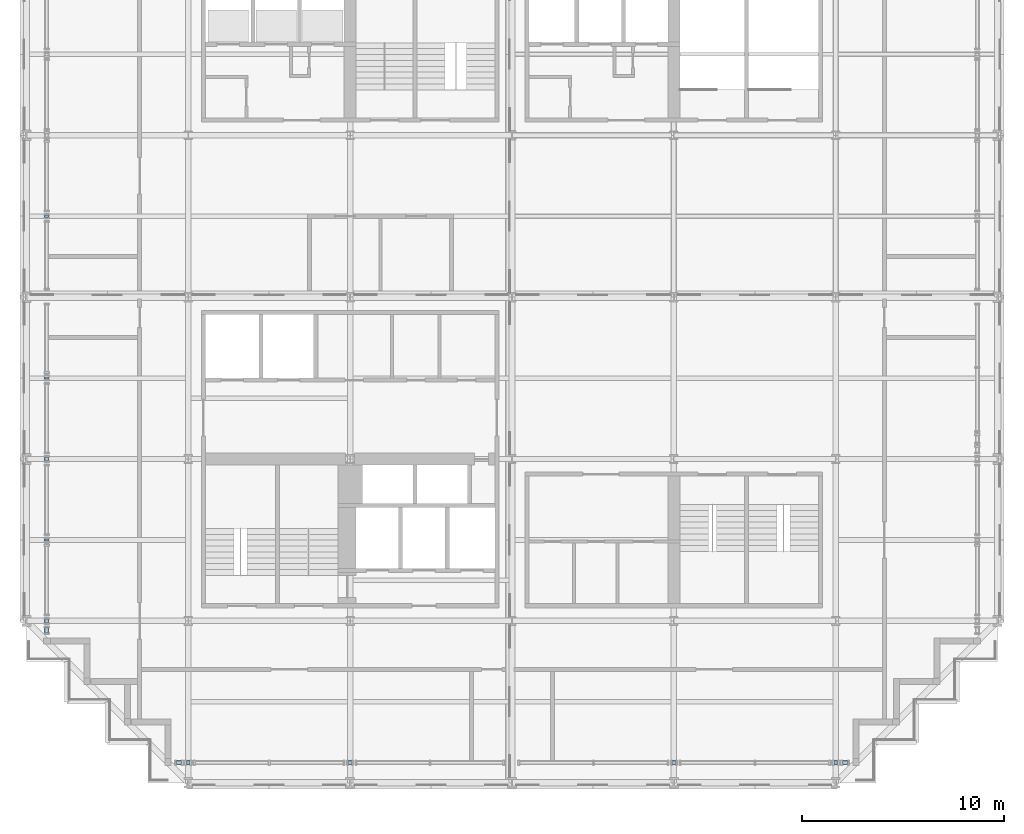
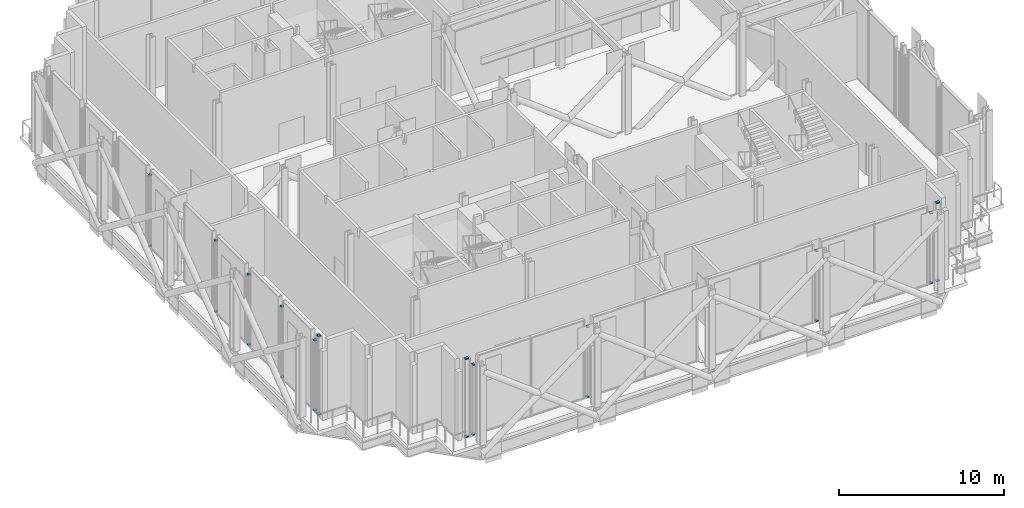
# One storey, part 8 of 25: 24 members, 12 elements without a shape of their own.
"""IFC4 building model written with IfcOpenShell, lengths in metres."""

from ifc_helpers import new_model, si_unit, direction, frame, origin, origin_2d, place, context, subcontext, project, spatial, rectangle, extrude, material, material_profile, profile_set, type_object, element, aggregate, save


model = new_model("IFC4")

# Units and contexts
model_context = context("Model", 3, precision=1e-05, world=origin(), true_north=direction((0.0, 1.0)))
body_context = subcontext(model_context, "Body", "Model", "MODEL_VIEW")
ifc_project = project(units=[si_unit("LENGTHUNIT", "METRE"), si_unit("AREAUNIT", "SQUARE_METRE"), si_unit("VOLUMEUNIT", "CUBIC_METRE"), si_unit("PLANEANGLEUNIT", "RADIAN"), si_unit("MASSUNIT", "GRAM", prefix="KILO")], contexts=[model_context])

# Site, building, storey
site_placement = place(None, origin())
site = spatial("IfcSite", under=ifc_project, at=site_placement, CompositionType="ELEMENT")
building_placement = place(site_placement, origin())
building = spatial("IfcBuilding", under=site, at=building_placement, Name="Immortelle Media Tower", CompositionType="ELEMENT")
storey_placement = place(building_placement, frame((0.0, 0.0, 114.0)))
storey = spatial("IfcBuildingStorey", under=building, at=storey_placement, Name="L22", CompositionType="ELEMENT", Elevation=114.0)

# Curtain wall, members
ifc_material_1 = material(Name="Aluminium curtain wall system", Category="aluminium")
curtain_wall_type = type_object("IfcCurtainWallType", Name="Plant louvre wall curtain wall", PredefinedType="NOTDEFINED", material=ifc_material_1)
curtain_wall_1_placement = place(storey_placement, origin())
curtain_wall_1 = element("IfcCurtainWall", 1, at=curtain_wall_1_placement, inside=storey, type_object=curtain_wall_type, Name="Plant louvre wall L22 S 7-2", PredefinedType="NOTDEFINED")
ifc_material_2 = material(Name="Aluminium 6063-T6", Category="aluminium")
ifc_material_profile = material_profile(ifc_material_2, rectangle(XDim=0.199951171875, YDim=0.080078125, at=origin_2d()), Name="AL 80x200")
ifc_profile_set = profile_set([ifc_material_profile], Name="Aluminium 6063-T6")
member_type = type_object("IfcMemberType", Name="Plant louvre wall transom 80 x 200", PredefinedType="USERDEFINED", material=ifc_profile_set)
member_1_placement = place(storey_placement, frame((7.40869140625, 1.0, 0.0400390625), z_axis=(1.0, 0.0, 0.0), x_axis=(0.0, 1.0, 0.0)))
member_1 = element("IfcMember", 2, at=member_1_placement, type_object=member_type, Name="CW6 transom 1.1", ObjectType="TRANSOM", PredefinedType="USERDEFINED", context=body_context, shape_type="SweptSolid", body=[
    extrude(rectangle(XDim=0.199951171875, YDim=0.080078125, at=origin_2d()), origin(), (0.0, 0.0, 1.0), 0.2568359375),
])
member_2_placement = place(storey_placement, frame((7.40869140625, 1.0, 5.8095703125), z_axis=(1.0, 0.0, 0.0), x_axis=(0.0, 1.0, 0.0)))
member_2 = element("IfcMember", 3, at=member_2_placement, type_object=member_type, Name="CW6 transom 1.2", ObjectType="TRANSOM", PredefinedType="USERDEFINED", context=body_context, shape_type="SweptSolid", body=[
    extrude(rectangle(XDim=0.199951171875, YDim=0.080078125, at=origin_2d()), origin(), (0.0, 0.0, 1.0), 0.2568359375),
])
aggregate(curtain_wall_1, [member_1, member_2])

curtain_wall_2_placement = place(storey_placement, origin())
curtain_wall_2 = element("IfcCurtainWall", 4, at=curtain_wall_2_placement, inside=storey, type_object=curtain_wall_type, Name="Plant louvre wall L22 S 7-3", PredefinedType="NOTDEFINED")
member_3_placement = place(storey_placement, frame((7.91552734375, 1.0, 0.0400390625), z_axis=(1.0, 0.0, 0.0), x_axis=(0.0, 1.0, 0.0)))
member_3 = element("IfcMember", 5, at=member_3_placement, type_object=member_type, Name="CW6 transom 1.1", ObjectType="TRANSOM", PredefinedType="USERDEFINED", context=body_context, shape_type="SweptSolid", body=[
    extrude(rectangle(XDim=0.199951171875, YDim=0.080078125, at=origin_2d()), origin(), (0.0, 0.0, 1.0), 0.1689453125),
])
member_4_placement = place(storey_placement, frame((7.91552734375, 1.0, 5.197509765625), z_axis=(1.0, 0.0, 0.0), x_axis=(0.0, 1.0, 0.0)))
member_4 = element("IfcMember", 6, at=member_4_placement, type_object=member_type, Name="CW6 transom 1.2", ObjectType="TRANSOM", PredefinedType="USERDEFINED", context=body_context, shape_type="SweptSolid", body=[
    extrude(rectangle(XDim=0.199951171875, YDim=0.080078125, at=origin_2d()), origin(), (0.0, 0.0, 1.0), 0.1689453125),
])
aggregate(curtain_wall_2, [member_3, member_4])

curtain_wall_3_placement = place(storey_placement, origin())
curtain_wall_3 = element("IfcCurtainWall", 7, at=curtain_wall_3_placement, inside=storey, type_object=curtain_wall_type, Name="Plant louvre wall L22 S 7-5", PredefinedType="NOTDEFINED")
member_5_placement = place(storey_placement, frame((15.91552734375, 1.0, 0.0400390625), z_axis=(1.0, 0.0, 0.0), x_axis=(0.0, 1.0, 0.0)))
member_5 = element("IfcMember", 8, at=member_5_placement, type_object=member_type, Name="CW6 transom 1.1", ObjectType="TRANSOM", PredefinedType="USERDEFINED", context=body_context, shape_type="SweptSolid", body=[
    extrude(rectangle(XDim=0.199951171875, YDim=0.080078125, at=origin_2d()), origin(), (0.0, 0.0, 1.0), 0.1689453125),
])
member_6_placement = place(storey_placement, frame((15.91552734375, 1.0, 5.197509765625), z_axis=(1.0, 0.0, 0.0), x_axis=(0.0, 1.0, 0.0)))
member_6 = element("IfcMember", 9, at=member_6_placement, type_object=member_type, Name="CW6 transom 1.2", ObjectType="TRANSOM", PredefinedType="USERDEFINED", context=body_context, shape_type="SweptSolid", body=[
    extrude(rectangle(XDim=0.199951171875, YDim=0.080078125, at=origin_2d()), origin(), (0.0, 0.0, 1.0), 0.1689453125),
])
aggregate(curtain_wall_3, [member_5, member_6])

curtain_wall_4_placement = place(storey_placement, origin())
curtain_wall_4 = element("IfcCurtainWall", 10, at=curtain_wall_4_placement, inside=storey, type_object=curtain_wall_type, Name="Plant louvre wall L22 S 7-8", PredefinedType="NOTDEFINED")
member_7_placement = place(storey_placement, frame((31.91552734375, 1.0, 0.0400390625), z_axis=(1.0, 0.0, 0.0), x_axis=(0.0, 1.0, 0.0)))
member_7 = element("IfcMember", 11, at=member_7_placement, type_object=member_type, Name="CW6 transom 1.1", ObjectType="TRANSOM", PredefinedType="USERDEFINED", context=body_context, shape_type="SweptSolid", body=[
    extrude(rectangle(XDim=0.199951171875, YDim=0.080078125, at=origin_2d()), origin(), (0.0, 0.0, 1.0), 0.1689453125),
])
member_8_placement = place(storey_placement, frame((31.91552734375, 1.0, 5.197509765625), z_axis=(1.0, 0.0, 0.0), x_axis=(0.0, 1.0, 0.0)))
member_8 = element("IfcMember", 12, at=member_8_placement, type_object=member_type, Name="CW6 transom 1.2", ObjectType="TRANSOM", PredefinedType="USERDEFINED", context=body_context, shape_type="SweptSolid", body=[
    extrude(rectangle(XDim=0.199951171875, YDim=0.080078125, at=origin_2d()), origin(), (0.0, 0.0, 1.0), 0.1689453125),
])
aggregate(curtain_wall_4, [member_7, member_8])

curtain_wall_5_placement = place(storey_placement, origin())
curtain_wall_5 = element("IfcCurtainWall", 13, at=curtain_wall_5_placement, inside=storey, type_object=curtain_wall_type, Name="Plant louvre wall L22 S 7-10", PredefinedType="NOTDEFINED")
member_9_placement = place(storey_placement, frame((39.91552734375, 1.0, 0.0400390625), z_axis=(1.0, 0.0, 0.0), x_axis=(0.0, 1.0, 0.0)))
member_9 = element("IfcMember", 14, at=member_9_placement, type_object=member_type, Name="CW6 transom 1.1", ObjectType="TRANSOM", PredefinedType="USERDEFINED", context=body_context, shape_type="SweptSolid", body=[
    extrude(rectangle(XDim=0.199951171875, YDim=0.080078125, at=origin_2d()), origin(), (0.0, 0.0, 1.0), 0.1689453125),
])
member_10_placement = place(storey_placement, frame((39.91552734375, 1.0, 5.197509765625), z_axis=(1.0, 0.0, 0.0), x_axis=(0.0, 1.0, 0.0)))
member_10 = element("IfcMember", 15, at=member_10_placement, type_object=member_type, Name="CW6 transom 1.2", ObjectType="TRANSOM", PredefinedType="USERDEFINED", context=body_context, shape_type="SweptSolid", body=[
    extrude(rectangle(XDim=0.199951171875, YDim=0.080078125, at=origin_2d()), origin(), (0.0, 0.0, 1.0), 0.1689453125),
])
aggregate(curtain_wall_5, [member_9, member_10])

curtain_wall_6_placement = place(storey_placement, origin())
curtain_wall_6 = element("IfcCurtainWall", 16, at=curtain_wall_6_placement, inside=storey, type_object=curtain_wall_type, Name="Plant louvre wall L22 S 7-11", PredefinedType="NOTDEFINED")
member_11_placement = place(storey_placement, frame((40.33447265625, 1.0, 0.0400390625), z_axis=(1.0, 0.0, 0.0), x_axis=(0.0, 1.0, 0.0)))
member_11 = element("IfcMember", 17, at=member_11_placement, type_object=member_type, Name="CW6 transom 1.1", ObjectType="TRANSOM", PredefinedType="USERDEFINED", context=body_context, shape_type="SweptSolid", body=[
    extrude(rectangle(XDim=0.199951171875, YDim=0.080078125, at=origin_2d()), origin(), (0.0, 0.0, 1.0), 0.2568359375),
])
member_12_placement = place(storey_placement, frame((40.33447265625, 1.0, 5.8095703125), z_axis=(1.0, 0.0, 0.0), x_axis=(0.0, 1.0, 0.0)))
member_12 = element("IfcMember", 18, at=member_12_placement, type_object=member_type, Name="CW6 transom 1.2", ObjectType="TRANSOM", PredefinedType="USERDEFINED", context=body_context, shape_type="SweptSolid", body=[
    extrude(rectangle(XDim=0.199951171875, YDim=0.080078125, at=origin_2d()), origin(), (0.0, 0.0, 1.0), 0.2568359375),
])
aggregate(curtain_wall_6, [member_11, member_12])

curtain_wall_7_placement = place(storey_placement, origin())
curtain_wall_7 = element("IfcCurtainWall", 19, at=curtain_wall_7_placement, inside=storey, type_object=curtain_wall_type, Name="Plant louvre wall L22 W 28-9", PredefinedType="NOTDEFINED")
member_13_placement = place(storey_placement, frame((1.0, 28.052490234375, 0.0400390625), z_axis=(0.0, -1.0, 0.0), x_axis=(1.0, 0.0, 0.0)))
member_13 = element("IfcMember", 20, at=member_13_placement, type_object=member_type, Name="CW6 transom 1.1", ObjectType="TRANSOM", PredefinedType="USERDEFINED", context=body_context, shape_type="SweptSolid", body=[
    extrude(rectangle(XDim=0.199951171875, YDim=0.080078125, at=origin_2d()), origin(), (0.0, 0.0, 1.0), 0.10498046875),
])
member_14_placement = place(storey_placement, frame((1.0, 28.052490234375, 5.283447265625), z_axis=(0.0, -1.0, 0.0), x_axis=(1.0, 0.0, 0.0)))
member_14 = element("IfcMember", 21, at=member_14_placement, type_object=member_type, Name="CW6 transom 1.2", ObjectType="TRANSOM", PredefinedType="USERDEFINED", context=body_context, shape_type="SweptSolid", body=[
    extrude(rectangle(XDim=0.199951171875, YDim=0.080078125, at=origin_2d()), origin(), (0.0, 0.0, 1.0), 0.10498046875),
])
aggregate(curtain_wall_7, [member_13, member_14])

curtain_wall_8_placement = place(storey_placement, origin())
curtain_wall_8 = element("IfcCurtainWall", 22, at=curtain_wall_8_placement, inside=storey, type_object=curtain_wall_type, Name="Plant louvre wall L22 W 28-12", PredefinedType="NOTDEFINED")
member_15_placement = place(storey_placement, frame((1.0, 20.052490234375, 0.0400390625), z_axis=(0.0, -1.0, 0.0), x_axis=(1.0, 0.0, 0.0)))
member_15 = element("IfcMember", 23, at=member_15_placement, type_object=member_type, Name="CW6 transom 1.1", ObjectType="TRANSOM", PredefinedType="USERDEFINED", context=body_context, shape_type="SweptSolid", body=[
    extrude(rectangle(XDim=0.199951171875, YDim=0.080078125, at=origin_2d()), origin(), (0.0, 0.0, 1.0), 0.10498046875),
])
member_16_placement = place(storey_placement, frame((1.0, 20.052490234375, 5.283447265625), z_axis=(0.0, -1.0, 0.0), x_axis=(1.0, 0.0, 0.0)))
member_16 = element("IfcMember", 24, at=member_16_placement, type_object=member_type, Name="CW6 transom 1.2", ObjectType="TRANSOM", PredefinedType="USERDEFINED", context=body_context, shape_type="SweptSolid", body=[
    extrude(rectangle(XDim=0.199951171875, YDim=0.080078125, at=origin_2d()), origin(), (0.0, 0.0, 1.0), 0.10498046875),
])
aggregate(curtain_wall_8, [member_15, member_16])

curtain_wall_9_placement = place(storey_placement, origin())
curtain_wall_9 = element("IfcCurtainWall", 25, at=curtain_wall_9_placement, inside=storey, type_object=curtain_wall_type, Name="Plant louvre wall L22 W 28-14", PredefinedType="NOTDEFINED")
member_17_placement = place(storey_placement, frame((1.0, 16.08447265625, 0.0400390625), z_axis=(0.0, -1.0, 0.0), x_axis=(1.0, 0.0, 0.0)))
member_17 = element("IfcMember", 26, at=member_17_placement, type_object=member_type, Name="CW6 transom 1.1", ObjectType="TRANSOM", PredefinedType="USERDEFINED", context=body_context, shape_type="SweptSolid", body=[
    extrude(rectangle(XDim=0.199951171875, YDim=0.080078125, at=origin_2d()), origin(), (0.0, 0.0, 1.0), 0.1689453125),
])
member_18_placement = place(storey_placement, frame((1.0, 16.08447265625, 5.197509765625), z_axis=(0.0, -1.0, 0.0), x_axis=(1.0, 0.0, 0.0)))
member_18 = element("IfcMember", 27, at=member_18_placement, type_object=member_type, Name="CW6 transom 1.2", ObjectType="TRANSOM", PredefinedType="USERDEFINED", context=body_context, shape_type="SweptSolid", body=[
    extrude(rectangle(XDim=0.199951171875, YDim=0.080078125, at=origin_2d()), origin(), (0.0, 0.0, 1.0), 0.1689453125),
])
aggregate(curtain_wall_9, [member_17, member_18])

curtain_wall_10_placement = place(storey_placement, origin())
curtain_wall_10 = element("IfcCurtainWall", 28, at=curtain_wall_10_placement, inside=storey, type_object=curtain_wall_type, Name="Plant louvre wall L22 W 28-16", PredefinedType="NOTDEFINED")
member_19_placement = place(storey_placement, frame((1.0, 12.052490234375, 0.0400390625), z_axis=(0.0, -1.0, 0.0), x_axis=(1.0, 0.0, 0.0)))
member_19 = element("IfcMember", 29, at=member_19_placement, type_object=member_type, Name="CW6 transom 1.1", ObjectType="TRANSOM", PredefinedType="USERDEFINED", context=body_context, shape_type="SweptSolid", body=[
    extrude(rectangle(XDim=0.199951171875, YDim=0.080078125, at=origin_2d()), origin(), (0.0, 0.0, 1.0), 0.10498046875),
])
member_20_placement = place(storey_placement, frame((1.0, 12.052490234375, 5.283447265625), z_axis=(0.0, -1.0, 0.0), x_axis=(1.0, 0.0, 0.0)))
member_20 = element("IfcMember", 30, at=member_20_placement, type_object=member_type, Name="CW6 transom 1.2", ObjectType="TRANSOM", PredefinedType="USERDEFINED", context=body_context, shape_type="SweptSolid", body=[
    extrude(rectangle(XDim=0.199951171875, YDim=0.080078125, at=origin_2d()), origin(), (0.0, 0.0, 1.0), 0.10498046875),
])
aggregate(curtain_wall_10, [member_19, member_20])

curtain_wall_11_placement = place(storey_placement, origin())
curtain_wall_11 = element("IfcCurtainWall", 31, at=curtain_wall_11_placement, inside=storey, type_object=curtain_wall_type, Name="Plant louvre wall L22 W 28-18", PredefinedType="NOTDEFINED")
member_21_placement = place(storey_placement, frame((1.0, 8.08447265625, 0.0400390625), z_axis=(0.0, -1.0, 0.0), x_axis=(1.0, 0.0, 0.0)))
member_21 = element("IfcMember", 32, at=member_21_placement, type_object=member_type, Name="CW6 transom 1.1", ObjectType="TRANSOM", PredefinedType="USERDEFINED", context=body_context, shape_type="SweptSolid", body=[
    extrude(rectangle(XDim=0.199951171875, YDim=0.080078125, at=origin_2d()), origin(), (0.0, 0.0, 1.0), 0.1689453125),
])
member_22_placement = place(storey_placement, frame((1.0, 8.08447265625, 5.197509765625), z_axis=(0.0, -1.0, 0.0), x_axis=(1.0, 0.0, 0.0)))
member_22 = element("IfcMember", 33, at=member_22_placement, type_object=member_type, Name="CW6 transom 1.2", ObjectType="TRANSOM", PredefinedType="USERDEFINED", context=body_context, shape_type="SweptSolid", body=[
    extrude(rectangle(XDim=0.199951171875, YDim=0.080078125, at=origin_2d()), origin(), (0.0, 0.0, 1.0), 0.1689453125),
])
aggregate(curtain_wall_11, [member_21, member_22])

curtain_wall_12_placement = place(storey_placement, origin())
curtain_wall_12 = element("IfcCurtainWall", 34, at=curtain_wall_12_placement, inside=storey, type_object=curtain_wall_type, Name="Plant louvre wall L22 W 28-19", PredefinedType="NOTDEFINED")
member_23_placement = place(storey_placement, frame((1.0, 7.66552734375, 0.0400390625), z_axis=(0.0, -1.0, 0.0), x_axis=(1.0, 0.0, 0.0)))
member_23 = element("IfcMember", 35, at=member_23_placement, type_object=member_type, Name="CW6 transom 1.1", ObjectType="TRANSOM", PredefinedType="USERDEFINED", context=body_context, shape_type="SweptSolid", body=[
    extrude(rectangle(XDim=0.199951171875, YDim=0.080078125, at=origin_2d()), origin(), (0.0, 0.0, 1.0), 0.2568359375),
])
member_24_placement = place(storey_placement, frame((1.0, 7.66552734375, 5.8095703125), z_axis=(0.0, -1.0, 0.0), x_axis=(1.0, 0.0, 0.0)))
member_24 = element("IfcMember", 36, at=member_24_placement, type_object=member_type, Name="CW6 transom 1.2", ObjectType="TRANSOM", PredefinedType="USERDEFINED", context=body_context, shape_type="SweptSolid", body=[
    extrude(rectangle(XDim=0.199951171875, YDim=0.080078125, at=origin_2d()), origin(), (0.0, 0.0, 1.0), 0.2568359375),
])
aggregate(curtain_wall_12, [member_23, member_24])

save(model, "model.ifc")
